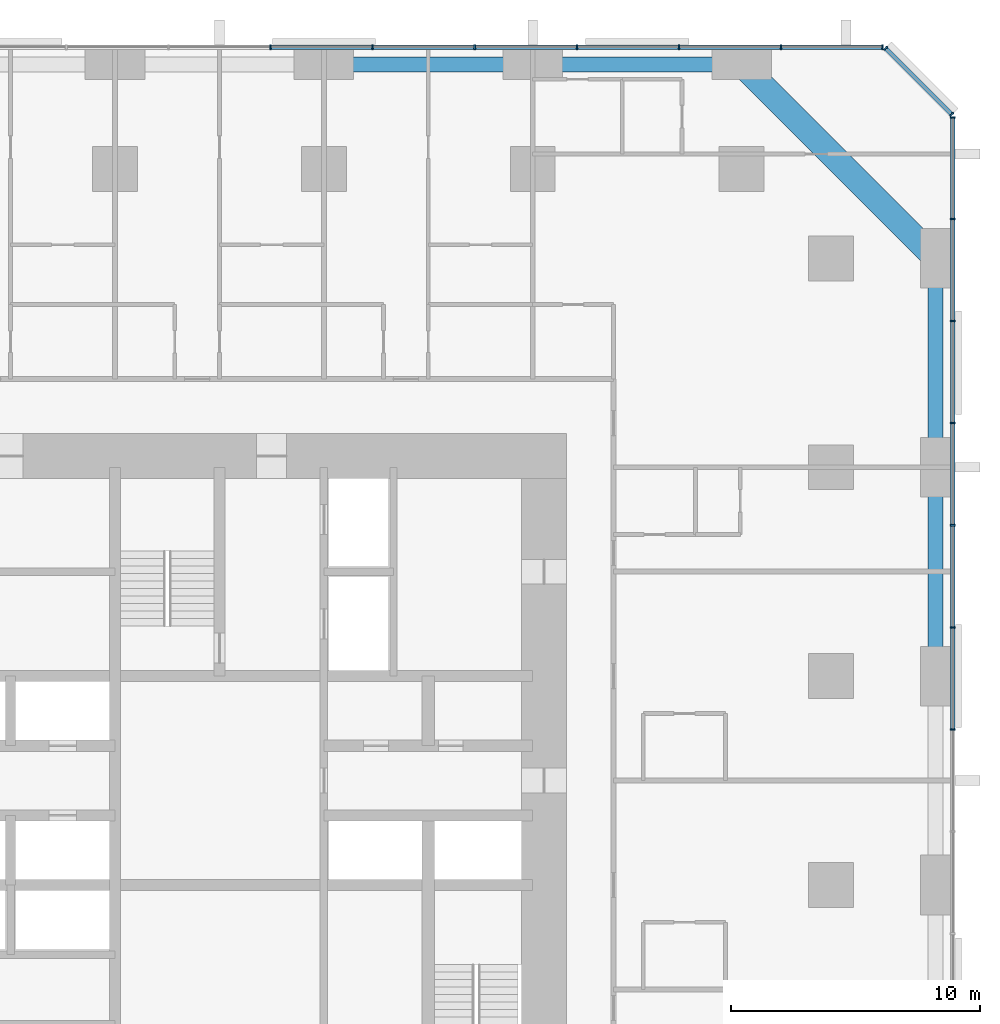
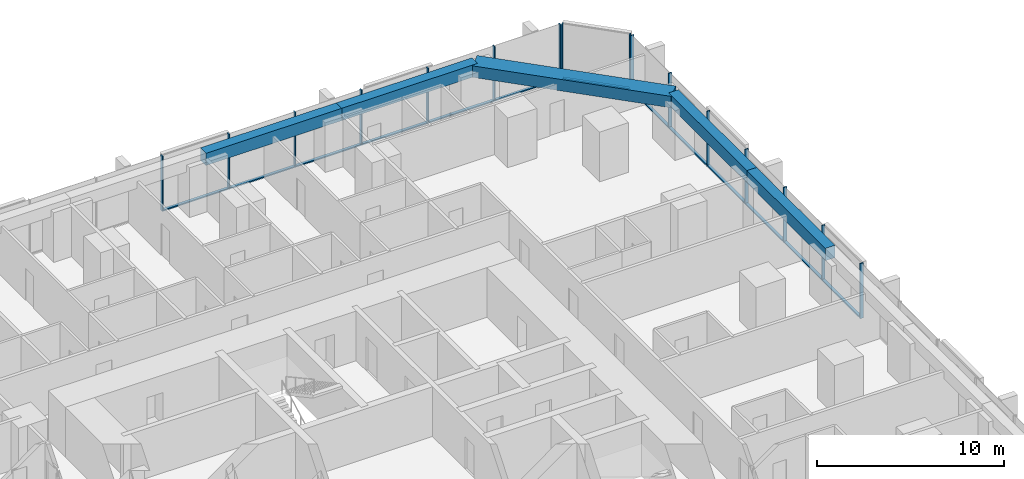
# One storey, part 8 of 17: 29 members, 5 beams, 3 elements without a shape of their own.
"""IFC4 building model written with IfcOpenShell, lengths in metres."""

from ifc_helpers import new_model, si_unit, direction, frame, origin, origin_2d, place, context, subcontext, project, spatial, rectangle, extrude, material, material_profile, profile_set, type_object, element, aggregate, save


model = new_model("IFC4")

# Units and contexts
model_context = context("Model", 3, precision=1e-05, world=origin(), true_north=direction((0.0, 1.0)))
body_context = subcontext(model_context, "Body", "Model", "MODEL_VIEW")
ifc_project = project(units=[si_unit("LENGTHUNIT", "METRE"), si_unit("AREAUNIT", "SQUARE_METRE"), si_unit("VOLUMEUNIT", "CUBIC_METRE"), si_unit("PLANEANGLEUNIT", "RADIAN"), si_unit("MASSUNIT", "GRAM", prefix="KILO")], contexts=[model_context])

# Site, building, storey
site_placement = place(None, origin())
site = spatial("IfcSite", under=ifc_project, at=site_placement, CompositionType="ELEMENT")
building_placement = place(site_placement, origin())
building = spatial("IfcBuilding", under=site, at=building_placement, Name="Dunama Terrace Hotel", CompositionType="ELEMENT")
storey_placement = place(building_placement, frame((0.0, 0.0, 48.60009765625)))
storey = spatial("IfcBuildingStorey", under=building, at=storey_placement, Name="L11", CompositionType="ELEMENT", Elevation=48.60009765625)

# Curtain wall, members
ifc_material_1 = material(Name="Aluminium curtain wall system", Category="aluminium")
curtain_wall_type = type_object("IfcCurtainWallType", Name="Unitised fritted glass wall CW-A", PredefinedType="NOTDEFINED", material=ifc_material_1)
curtain_wall_1_placement = place(storey_placement, origin())
curtain_wall_1 = element("IfcCurtainWall", 1, at=curtain_wall_1_placement, inside=storey, type_object=curtain_wall_type, Name="Unitised fritted glass wall CW-A L11", PredefinedType="NOTDEFINED")
ifc_material_2 = material(Name="Aluminium mullion", Category="aluminium")
ifc_material_profile_1 = material_profile(ifc_material_2, rectangle(XDim=0.06494140625, YDim=0.199951171875, at=origin_2d()), Name="CWA MULLION 65X200")
ifc_profile_set_1 = profile_set([ifc_material_profile_1], Name="Aluminium mullion")
member_type_1 = type_object("IfcMemberType", Name="CWA mullion 65x200", PredefinedType="MULLION", material=ifc_profile_set_1)
member_1_placement = place(storey_placement, frame((58.89990234375, 31.4541015625, 0.0), z_axis=(0.0, 0.0, 1.0), x_axis=(0.0, 1.0, 0.0)))
member_1 = element("IfcMember", 2, at=member_1_placement, type_object=member_type_1, Name="CWA mullion", PredefinedType="MULLION", context=body_context, shape_type="SweptSolid", body=[
    extrude(rectangle(XDim=0.06494140625, YDim=0.199951171875, at=origin_2d()), origin(), (0.0, 0.0, 1.0), 3.599853515625),
])
member_2_placement = place(storey_placement, frame((58.89990234375, 35.56201171875, 0.0), z_axis=(0.0, 0.0, 1.0), x_axis=(0.0, 1.0, 0.0)))
member_2 = element("IfcMember", 3, at=member_2_placement, type_object=member_type_1, Name="CWA mullion", PredefinedType="MULLION", context=body_context, shape_type="SweptSolid", body=[
    extrude(rectangle(XDim=0.06494140625, YDim=0.199951171875, at=origin_2d()), origin(), (0.0, 0.0, 1.0), 3.599853515625),
])
member_3_placement = place(storey_placement, frame((58.89990234375, 39.6689453125, 0.0), z_axis=(0.0, 0.0, 1.0), x_axis=(0.0, 1.0, 0.0)))
member_3 = element("IfcMember", 4, at=member_3_placement, type_object=member_type_1, Name="CWA mullion", PredefinedType="MULLION", context=body_context, shape_type="SweptSolid", body=[
    extrude(rectangle(XDim=0.06494140625, YDim=0.199951171875, at=origin_2d()), origin(), (0.0, 0.0, 1.0), 3.599853515625),
])
member_4_placement = place(storey_placement, frame((58.89990234375, 43.777099609375, 0.0), z_axis=(0.0, 0.0, 1.0), x_axis=(0.0, 1.0, 0.0)))
member_4 = element("IfcMember", 5, at=member_4_placement, type_object=member_type_1, Name="CWA mullion", PredefinedType="MULLION", context=body_context, shape_type="SweptSolid", body=[
    extrude(rectangle(XDim=0.06494140625, YDim=0.199951171875, at=origin_2d()), origin(), (0.0, 0.0, 1.0), 3.599853515625),
])
member_5_placement = place(storey_placement, frame((58.89990234375, 47.885009765625, 0.0), z_axis=(0.0, 0.0, 1.0), x_axis=(0.0, 1.0, 0.0)))
member_5 = element("IfcMember", 6, at=member_5_placement, type_object=member_type_1, Name="CWA mullion", PredefinedType="MULLION", context=body_context, shape_type="SweptSolid", body=[
    extrude(rectangle(XDim=0.06494140625, YDim=0.199951171875, at=origin_2d()), origin(), (0.0, 0.0, 1.0), 3.599853515625),
])
member_6_placement = place(storey_placement, frame((58.89990234375, 51.991943359375, 0.0), z_axis=(0.0, 0.0, 1.0), x_axis=(0.0, 1.0, 0.0)))
member_6 = element("IfcMember", 7, at=member_6_placement, type_object=member_type_1, Name="CWA mullion", PredefinedType="MULLION", context=body_context, shape_type="SweptSolid", body=[
    extrude(rectangle(XDim=0.06494140625, YDim=0.199951171875, at=origin_2d()), origin(), (0.0, 0.0, 1.0), 3.599853515625),
])
member_7_placement = place(storey_placement, frame((58.89990234375, 56.06689453125, 0.0), z_axis=(0.0, 0.0, 1.0), x_axis=(0.0, 1.0, 0.0)))
member_7 = element("IfcMember", 8, at=member_7_placement, type_object=member_type_1, Name="CWA mullion", PredefinedType="MULLION", context=body_context, shape_type="SweptSolid", body=[
    extrude(rectangle(XDim=0.06494140625, YDim=0.199951171875, at=origin_2d()), origin(), (0.0, 0.0, 1.0), 3.599853515625),
])

curtain_wall_2_placement = place(storey_placement, origin())
curtain_wall_2 = element("IfcCurtainWall", 9, at=curtain_wall_2_placement, inside=storey, type_object=curtain_wall_type, Name="Unitised fritted glass wall CW-A L11", PredefinedType="NOTDEFINED")
member_8_placement = place(storey_placement, frame((58.847900390625, 56.194091796875, 0.0), z_axis=(0.0, 0.0, 1.0), x_axis=(-0.707106781187, 0.707106781187, 0.0)))
member_8 = element("IfcMember", 10, at=member_8_placement, type_object=member_type_1, Name="CWA mullion", PredefinedType="MULLION", context=body_context, shape_type="SweptSolid", body=[
    extrude(rectangle(XDim=0.06494140625, YDim=0.199951171875, at=origin_2d()), origin(), (0.0, 0.0, 1.0), 3.599853515625),
])
member_9_placement = place(storey_placement, frame((56.194091796875, 58.847900390625, 0.0), z_axis=(0.0, 0.0, 1.0), x_axis=(-0.707106781187, 0.707106781187, 0.0)))
member_9 = element("IfcMember", 11, at=member_9_placement, type_object=member_type_1, Name="CWA mullion", PredefinedType="MULLION", context=body_context, shape_type="SweptSolid", body=[
    extrude(rectangle(XDim=0.06494140625, YDim=0.199951171875, at=origin_2d()), origin(), (0.0, 0.0, 1.0), 3.599853515625),
])

curtain_wall_3_placement = place(storey_placement, origin())
curtain_wall_3 = element("IfcCurtainWall", 12, at=curtain_wall_3_placement, inside=storey, type_object=curtain_wall_type, Name="Unitised fritted glass wall CW-A L11", PredefinedType="NOTDEFINED")
member_10_placement = place(storey_placement, frame((56.06689453125, 58.89990234375, 0.0), z_axis=(0.0, 0.0, 1.0), x_axis=(-1.0, 0.0, 0.0)))
member_10 = element("IfcMember", 13, at=member_10_placement, type_object=member_type_1, Name="CWA mullion", PredefinedType="MULLION", context=body_context, shape_type="SweptSolid", body=[
    extrude(rectangle(XDim=0.06494140625, YDim=0.199951171875, at=origin_2d()), origin(), (0.0, 0.0, 1.0), 3.599853515625),
])
member_11_placement = place(storey_placement, frame((51.991943359375, 58.89990234375, 0.0), z_axis=(0.0, 0.0, 1.0), x_axis=(-1.0, 0.0, 0.0)))
member_11 = element("IfcMember", 14, at=member_11_placement, type_object=member_type_1, Name="CWA mullion", PredefinedType="MULLION", context=body_context, shape_type="SweptSolid", body=[
    extrude(rectangle(XDim=0.06494140625, YDim=0.199951171875, at=origin_2d()), origin(), (0.0, 0.0, 1.0), 3.599853515625),
])
member_12_placement = place(storey_placement, frame((47.885009765625, 58.89990234375, 0.0), z_axis=(0.0, 0.0, 1.0), x_axis=(-1.0, 0.0, 0.0)))
member_12 = element("IfcMember", 15, at=member_12_placement, type_object=member_type_1, Name="CWA mullion", PredefinedType="MULLION", context=body_context, shape_type="SweptSolid", body=[
    extrude(rectangle(XDim=0.06494140625, YDim=0.199951171875, at=origin_2d()), origin(), (0.0, 0.0, 1.0), 3.599853515625),
])
member_13_placement = place(storey_placement, frame((43.777099609375, 58.89990234375, 0.0), z_axis=(0.0, 0.0, 1.0), x_axis=(-1.0, 0.0, 0.0)))
member_13 = element("IfcMember", 16, at=member_13_placement, type_object=member_type_1, Name="CWA mullion", PredefinedType="MULLION", context=body_context, shape_type="SweptSolid", body=[
    extrude(rectangle(XDim=0.06494140625, YDim=0.199951171875, at=origin_2d()), origin(), (0.0, 0.0, 1.0), 3.599853515625),
])
member_14_placement = place(storey_placement, frame((39.6689453125, 58.89990234375, 0.0), z_axis=(0.0, 0.0, 1.0), x_axis=(-1.0, 0.0, 0.0)))
member_14 = element("IfcMember", 17, at=member_14_placement, type_object=member_type_1, Name="CWA mullion", PredefinedType="MULLION", context=body_context, shape_type="SweptSolid", body=[
    extrude(rectangle(XDim=0.06494140625, YDim=0.199951171875, at=origin_2d()), origin(), (0.0, 0.0, 1.0), 3.599853515625),
])
member_15_placement = place(storey_placement, frame((35.56201171875, 58.89990234375, 0.0), z_axis=(0.0, 0.0, 1.0), x_axis=(-1.0, 0.0, 0.0)))
member_15 = element("IfcMember", 18, at=member_15_placement, type_object=member_type_1, Name="CWA mullion", PredefinedType="MULLION", context=body_context, shape_type="SweptSolid", body=[
    extrude(rectangle(XDim=0.06494140625, YDim=0.199951171875, at=origin_2d()), origin(), (0.0, 0.0, 1.0), 3.599853515625),
])
member_16_placement = place(storey_placement, frame((31.4541015625, 58.89990234375, 0.0), z_axis=(0.0, 0.0, 1.0), x_axis=(-1.0, 0.0, 0.0)))
member_16 = element("IfcMember", 19, at=member_16_placement, type_object=member_type_1, Name="CWA mullion", PredefinedType="MULLION", context=body_context, shape_type="SweptSolid", body=[
    extrude(rectangle(XDim=0.06494140625, YDim=0.199951171875, at=origin_2d()), origin(), (0.0, 0.0, 1.0), 3.599853515625),
])

# Member
ifc_material_3 = material(Name="Aluminium transom", Category="aluminium")
ifc_material_profile_2 = material_profile(ifc_material_3, rectangle(XDim=0.179931640625, YDim=0.074951171875, at=origin_2d()), Name="CWA TRANSOM 180X75")
ifc_profile_set_2 = profile_set([ifc_material_profile_2], Name="Aluminium transom")
member_type_2 = type_object("IfcMemberType", Name="CWA transom 180x75", PredefinedType="USERDEFINED", material=ifc_profile_set_2)
member_17_placement = place(storey_placement, frame((58.89990234375, 31.486083984375, 0.037353515625), z_axis=(0.0, 1.0, 0.0), x_axis=(-1.0, 0.0, 0.0)))
member_17 = element("IfcMember", 20, at=member_17_placement, type_object=member_type_2, Name="CWA transom", ObjectType="TRANSOM", PredefinedType="USERDEFINED", context=body_context, shape_type="SweptSolid", body=[
    extrude(rectangle(XDim=0.179931640625, YDim=0.074951171875, at=origin_2d()), origin(), (0.0, 0.0, 1.0), 4.04296875),
])

member_18_placement = place(storey_placement, frame((58.89990234375, 35.593994140625, 0.037353515625), z_axis=(0.0, 1.0, 0.0), x_axis=(-1.0, 0.0, 0.0)))
member_18 = element("IfcMember", 21, at=member_18_placement, type_object=member_type_2, Name="CWA transom", ObjectType="TRANSOM", PredefinedType="USERDEFINED", context=body_context, shape_type="SweptSolid", body=[
    extrude(rectangle(XDim=0.179931640625, YDim=0.074951171875, at=origin_2d()), origin(), (0.0, 0.0, 1.0), 4.04296875),
])

member_19_placement = place(storey_placement, frame((58.89990234375, 39.701904296875, 0.037353515625), z_axis=(0.0, 1.0, 0.0), x_axis=(-1.0, 0.0, 0.0)))
member_19 = element("IfcMember", 22, at=member_19_placement, type_object=member_type_2, Name="CWA transom", ObjectType="TRANSOM", PredefinedType="USERDEFINED", context=body_context, shape_type="SweptSolid", body=[
    extrude(rectangle(XDim=0.179931640625, YDim=0.074951171875, at=origin_2d()), origin(), (0.0, 0.0, 1.0), 4.0419921875),
])

member_20_placement = place(storey_placement, frame((58.89990234375, 43.80908203125, 0.037353515625), z_axis=(0.0, 1.0, 0.0), x_axis=(-1.0, 0.0, 0.0)))
member_20 = element("IfcMember", 23, at=member_20_placement, type_object=member_type_2, Name="CWA transom", ObjectType="TRANSOM", PredefinedType="USERDEFINED", context=body_context, shape_type="SweptSolid", body=[
    extrude(rectangle(XDim=0.179931640625, YDim=0.074951171875, at=origin_2d()), origin(), (0.0, 0.0, 1.0), 4.04296875),
])

member_21_placement = place(storey_placement, frame((58.89990234375, 47.9169921875, 0.037353515625), z_axis=(0.0, 1.0, 0.0), x_axis=(-1.0, 0.0, 0.0)))
member_21 = element("IfcMember", 24, at=member_21_placement, type_object=member_type_2, Name="CWA transom", ObjectType="TRANSOM", PredefinedType="USERDEFINED", context=body_context, shape_type="SweptSolid", body=[
    extrude(rectangle(XDim=0.179931640625, YDim=0.074951171875, at=origin_2d()), origin(), (0.0, 0.0, 1.0), 4.04296875),
])

member_22_placement = place(storey_placement, frame((58.89990234375, 52.02490234375, 0.037353515625), z_axis=(0.0, 1.0, 0.0), x_axis=(-1.0, 0.0, 0.0)))
member_22 = element("IfcMember", 25, at=member_22_placement, type_object=member_type_2, Name="CWA transom", ObjectType="TRANSOM", PredefinedType="USERDEFINED", context=body_context, shape_type="SweptSolid", body=[
    extrude(rectangle(XDim=0.179931640625, YDim=0.074951171875, at=origin_2d()), origin(), (0.0, 0.0, 1.0), 4.010009765625),
])

aggregate(curtain_wall_1, [member_1, member_2, member_3, member_4, member_5, member_6, member_7, member_17, member_18, member_19, member_20, member_21, member_22])

member_23_placement = place(storey_placement, frame((58.824951171875, 56.217041015625, 0.037353515625), z_axis=(-0.707106781187, 0.707106781187, 0.0), x_axis=(-0.707106781187, -0.707106781187, 0.0)))
member_23 = element("IfcMember", 26, at=member_23_placement, type_object=member_type_2, Name="CWA transom", ObjectType="TRANSOM", PredefinedType="USERDEFINED", context=body_context, shape_type="SweptSolid", body=[
    extrude(rectangle(XDim=0.179931640625, YDim=0.074951171875, at=origin_2d()), origin(), (0.0, 0.0, 1.0), 3.688232421875),
])

aggregate(curtain_wall_2, [member_8, member_9, member_23])

member_24_placement = place(storey_placement, frame((56.034912109375, 58.89990234375, 0.037353515625), z_axis=(-1.0, 0.0, 0.0), x_axis=(0.0, -1.0, 0.0)))
member_24 = element("IfcMember", 27, at=member_24_placement, type_object=member_type_2, Name="CWA transom", ObjectType="TRANSOM", PredefinedType="USERDEFINED", context=body_context, shape_type="SweptSolid", body=[
    extrude(rectangle(XDim=0.179931640625, YDim=0.074951171875, at=origin_2d()), origin(), (0.0, 0.0, 1.0), 4.010009765625),
])

member_25_placement = place(storey_placement, frame((51.9599609375, 58.89990234375, 0.037353515625), z_axis=(-1.0, 0.0, 0.0), x_axis=(0.0, -1.0, 0.0)))
member_25 = element("IfcMember", 28, at=member_25_placement, type_object=member_type_2, Name="CWA transom", ObjectType="TRANSOM", PredefinedType="USERDEFINED", context=body_context, shape_type="SweptSolid", body=[
    extrude(rectangle(XDim=0.179931640625, YDim=0.074951171875, at=origin_2d()), origin(), (0.0, 0.0, 1.0), 4.04296875),
])

member_26_placement = place(storey_placement, frame((47.85205078125, 58.89990234375, 0.037353515625), z_axis=(-1.0, 0.0, 0.0), x_axis=(0.0, -1.0, 0.0)))
member_26 = element("IfcMember", 29, at=member_26_placement, type_object=member_type_2, Name="CWA transom", ObjectType="TRANSOM", PredefinedType="USERDEFINED", context=body_context, shape_type="SweptSolid", body=[
    extrude(rectangle(XDim=0.179931640625, YDim=0.074951171875, at=origin_2d()), origin(), (0.0, 0.0, 1.0), 4.04296875),
])

member_27_placement = place(storey_placement, frame((43.743896484375, 58.89990234375, 0.037353515625), z_axis=(-1.0, 0.0, 0.0), x_axis=(0.0, -1.0, 0.0)))
member_27 = element("IfcMember", 30, at=member_27_placement, type_object=member_type_2, Name="CWA transom", ObjectType="TRANSOM", PredefinedType="USERDEFINED", context=body_context, shape_type="SweptSolid", body=[
    extrude(rectangle(XDim=0.179931640625, YDim=0.074951171875, at=origin_2d()), origin(), (0.0, 0.0, 1.0), 4.0419921875),
])

member_28_placement = place(storey_placement, frame((39.636962890625, 58.89990234375, 0.037353515625), z_axis=(-1.0, 0.0, 0.0), x_axis=(0.0, -1.0, 0.0)))
member_28 = element("IfcMember", 31, at=member_28_placement, type_object=member_type_2, Name="CWA transom", ObjectType="TRANSOM", PredefinedType="USERDEFINED", context=body_context, shape_type="SweptSolid", body=[
    extrude(rectangle(XDim=0.179931640625, YDim=0.074951171875, at=origin_2d()), origin(), (0.0, 0.0, 1.0), 4.04296875),
])

member_29_placement = place(storey_placement, frame((35.529052734375, 58.89990234375, 0.037353515625), z_axis=(-1.0, 0.0, 0.0), x_axis=(0.0, -1.0, 0.0)))
member_29 = element("IfcMember", 32, at=member_29_placement, type_object=member_type_2, Name="CWA transom", ObjectType="TRANSOM", PredefinedType="USERDEFINED", context=body_context, shape_type="SweptSolid", body=[
    extrude(rectangle(XDim=0.179931640625, YDim=0.074951171875, at=origin_2d()), origin(), (0.0, 0.0, 1.0), 4.04296875),
])

aggregate(curtain_wall_3, [member_10, member_11, member_12, member_13, member_14, member_15, member_16, member_24, member_25, member_26, member_27, member_28, member_29])

# Beams
ifc_material_4 = material(Name="Concrete C50/60", Category="concrete")
ifc_material_profile_3 = material_profile(ifc_material_4, rectangle(XDim=1.0, YDim=0.75, at=origin_2d()), Name="RC 1000x750")
ifc_profile_set_3 = profile_set([ifc_material_profile_3], Name="Concrete C50/60")
beam_type_1 = type_object("IfcBeamType", Name="Edge beam RC 1000x750", PredefinedType="SPANDREL", material=ifc_profile_set_3)
beam_placement = place(storey_placement, frame((50.39990234375, 58.199951171875, 3.224853515625), z_axis=(0.707106781187, -0.707106781187, 0.0), x_axis=(0.707106781187, 0.707106781187, 0.0)))
element("IfcBeam", 33, at=beam_placement, inside=storey, type_object=beam_type_1, Name="Corner edge beam under L12", PredefinedType="SPANDREL", context=body_context, shape_type="SweptSolid", body=[
    extrude(rectangle(XDim=1.0, YDim=0.75, at=origin_2d()), origin(), (0.0, 0.0, 1.0), 11.031005859375),
])
ifc_material_5 = material(Name="Concrete C40/50", Category="concrete")
ifc_material_profile_4 = material_profile(ifc_material_5, rectangle(XDim=0.60009765625, YDim=0.800048828125, at=origin_2d()), Name="RC 600x800")
ifc_profile_set_4 = profile_set([ifc_material_profile_4], Name="Concrete C40/50")
beam_type_2 = type_object("IfcBeamType", Name="Edge beam RC 600x800", PredefinedType="SPANDREL", material=ifc_profile_set_4)
for number, where, z_axis, x_axis, name in (
    (34, (58.199951171875, 33.60009765625, 3.199951171875), (0.0, 1.0, 0.0), (-1.0, 0.0, 0.0), "Edge beam under L12"),
    (35, (58.199951171875, 42.0, 3.199951171875), (0.0, 1.0, 0.0), (-1.0, 0.0, 0.0), "Edge beam under L12"),
    (36, (33.60009765625, 58.199951171875, 3.199951171875), (1.0, 0.0, 0.0), (0.0, 1.0, 0.0), "Edge beam under L12"),
    (37, (42.0, 58.199951171875, 3.199951171875), (1.0, 0.0, 0.0), (0.0, 1.0, 0.0), "Edge beam under L12"),
):
    element("IfcBeam", number, at=place(storey_placement, frame(where, z_axis=z_axis, x_axis=x_axis)), inside=storey, type_object=beam_type_2, Name=name, PredefinedType="SPANDREL", context=body_context, shape_type="SweptSolid", body=[
        extrude(rectangle(XDim=0.60009765625, YDim=0.800048828125, at=origin_2d()), origin(), (0.0, 0.0, 1.0), 8.39990234375),
    ])

save(model, "model.ifc")
